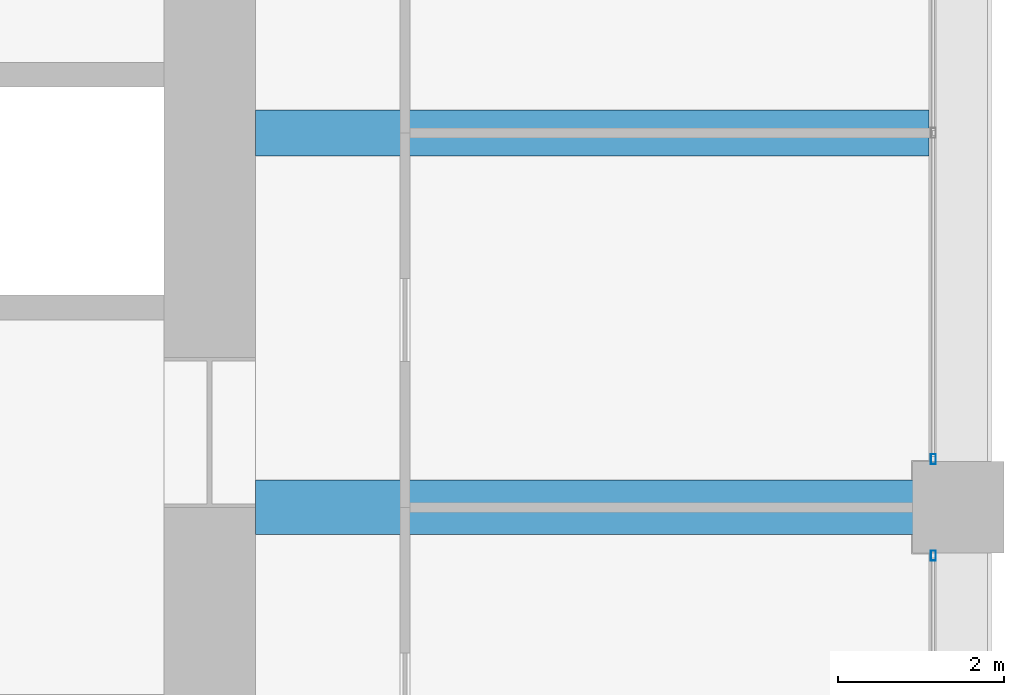
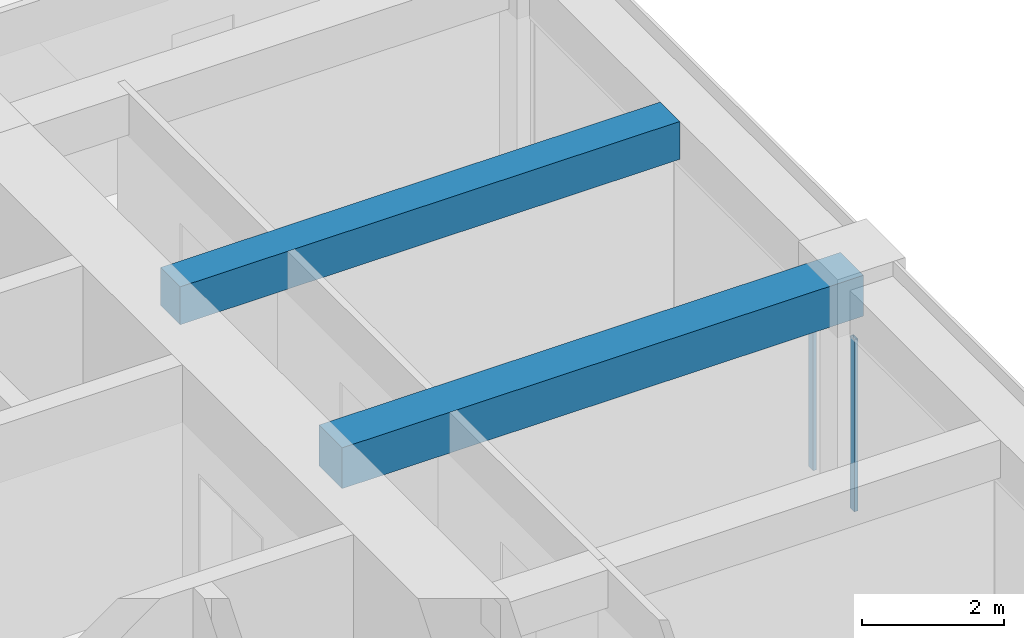
# One storey, part 26 of 44: 2 beams, 2 members, 2 elements without a shape of their own.
"""IFC4 building model written with IfcOpenShell, lengths in metres."""

from ifc_helpers import new_model, si_unit, direction, frame, origin, origin_2d, place, context, subcontext, project, spatial, rectangle, hollow_rectangle, extrude, material, material_profile, profile_set, type_object, element, aggregate, save


model = new_model("IFC4")

# Units and contexts
model_context = context("Model", 3, precision=1e-05, world=origin(), true_north=direction((0.0, 1.0)))
body_context = subcontext(model_context, "Body", "Model", "MODEL_VIEW")
ifc_project = project(units=[si_unit("LENGTHUNIT", "METRE"), si_unit("AREAUNIT", "SQUARE_METRE"), si_unit("VOLUMEUNIT", "CUBIC_METRE"), si_unit("PLANEANGLEUNIT", "RADIAN"), si_unit("MASSUNIT", "GRAM", prefix="KILO")], contexts=[model_context])

# Site, building, storey
site_placement = place(None, origin())
site = spatial("IfcSite", under=ifc_project, at=site_placement, CompositionType="ELEMENT")
building_placement = place(site_placement, origin())
building = spatial("IfcBuilding", under=site, at=building_placement, Name="Zorevar Civic Tower", CompositionType="ELEMENT")
storey_placement = place(building_placement, frame((0.0, 0.0, 255.39990234375)))
storey = spatial("IfcBuildingStorey", under=building, at=storey_placement, Name="L62", CompositionType="ELEMENT", Elevation=255.39990234375)

# Beams
ifc_material_1 = material(Name="Concrete C50/60", Category="concrete")
ifc_material_profile_1 = material_profile(ifc_material_1, rectangle(XDim=0.550048828125, YDim=0.64990234375, at=origin_2d()), Name="RC 550x650")
ifc_profile_set_1 = profile_set([ifc_material_profile_1], Name="Concrete C50/60")
beam_type_1 = type_object("IfcBeamType", Name="Beam RC 550x650", PredefinedType="BEAM", material=ifc_profile_set_1)
beam_1_placement = place(storey_placement, frame((45.550048828125, 31.5, 3.425048828125), z_axis=(1.0, 0.0, 0.0), x_axis=(0.0, 1.0, 0.0)))
element("IfcBeam", 1, at=beam_1_placement, inside=storey, type_object=beam_type_1, Name="Secondary beam L63", PredefinedType="BEAM", context=body_context, shape_type="SweptSolid", body=[
    extrude(rectangle(XDim=0.550048828125, YDim=0.64990234375, at=origin_2d()), origin(), (0.0, 0.0, 1.0), 8.099853515625),
])
ifc_material_2 = material(Name="Concrete C50/60", Category="concrete")
ifc_material_profile_2 = material_profile(ifc_material_2, rectangle(XDim=0.64990234375, YDim=0.699951171875, at=origin_2d()), Name="RC 650x700")
ifc_profile_set_2 = profile_set([ifc_material_profile_2], Name="Concrete C50/60")
beam_type_2 = type_object("IfcBeamType", Name="Beam RC 650x700", PredefinedType="BEAM", material=ifc_profile_set_2)
beam_2_placement = place(storey_placement, frame((45.550048828125, 27.0, 3.400146484375), z_axis=(1.0, 0.0, 0.0), x_axis=(0.0, 1.0, 0.0)))
element("IfcBeam", 2, at=beam_2_placement, inside=storey, type_object=beam_type_2, Name="Girder L63", PredefinedType="BEAM", context=body_context, shape_type="SweptSolid", body=[
    extrude(rectangle(XDim=0.64990234375, YDim=0.699951171875, at=origin_2d()), origin(), (0.0, 0.0, 1.0), 8.449951171875),
])

# Curtain wall, member
ifc_material_3 = material(Name="Dark grey solar-control glass in black aluminium frame", Category="aluminium")
curtain_wall_type = type_object("IfcCurtainWallType", Name="Curtain wall CW5 top zone", PredefinedType="NOTDEFINED", material=ifc_material_3)
curtain_wall_1_placement = place(storey_placement, origin())
curtain_wall_1 = element("IfcCurtainWall", 3, at=curtain_wall_1_placement, inside=storey, type_object=curtain_wall_type, Name="CW5 L62", PredefinedType="NOTDEFINED")
ifc_material_4 = material(Name="Aluminium, black anodised", Category="aluminium")
ifc_material_profile_3 = material_profile(ifc_material_4, hollow_rectangle(XDim=0.06005859375, YDim=0.1201171875, WallThickness=0.0029296875, at=origin_2d()), Name="AL 120x60x3")
ifc_profile_set_3 = profile_set([ifc_material_profile_3], Name="Aluminium, black anodised")
member_type = type_object("IfcMemberType", Name="CW5 mullion AL 120x60x3", PredefinedType="MULLION", material=ifc_profile_set_3)
member_1_placement = place(storey_placement, frame((53.699951171875, 26.419921875, 0.0), z_axis=(0.0, 0.0, 1.0), x_axis=(-1.0, 0.0, 0.0)))
member_1 = element("IfcMember", 4, at=member_1_placement, type_object=member_type, Name="CW5 mullion 3", PredefinedType="MULLION", context=body_context, shape_type="SweptSolid", body=[
    extrude(hollow_rectangle(XDim=0.06005859375, YDim=0.1201171875, WallThickness=0.0029296875, at=origin_2d()), origin(), (0.0, 0.0, 1.0), 2.9501953125),
])
aggregate(curtain_wall_1, [member_1])

curtain_wall_2_placement = place(storey_placement, origin())
curtain_wall_2 = element("IfcCurtainWall", 5, at=curtain_wall_2_placement, inside=storey, type_object=curtain_wall_type, Name="CW5 L62", PredefinedType="NOTDEFINED")
member_2_placement = place(storey_placement, frame((53.699951171875, 27.580078125, 0.0), z_axis=(0.0, 0.0, 1.0), x_axis=(-1.0, 0.0, 0.0)))
member_2 = element("IfcMember", 6, at=member_2_placement, type_object=member_type, Name="CW5 mullion 1", PredefinedType="MULLION", context=body_context, shape_type="SweptSolid", body=[
    extrude(hollow_rectangle(XDim=0.06005859375, YDim=0.1201171875, WallThickness=0.0029296875, at=origin_2d()), origin(), (0.0, 0.0, 1.0), 2.9501953125),
])
aggregate(curtain_wall_2, [member_2])

save(model, "model.ifc")
